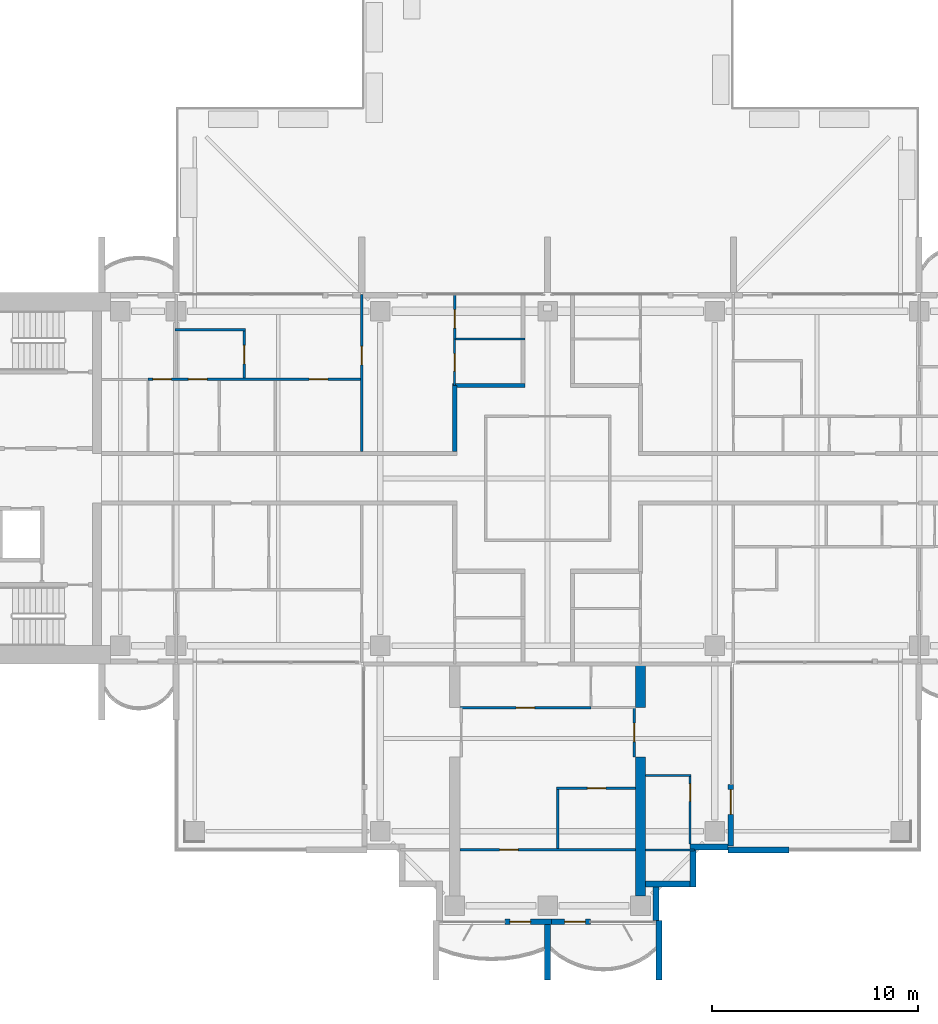
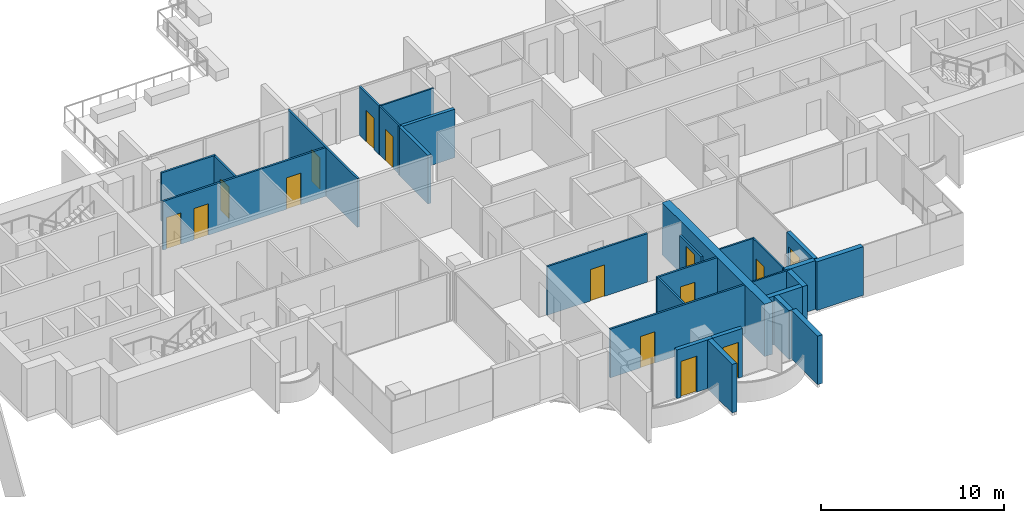
# One storey, part 10 of 18: 28 walls, 15 doors, 15 openings.
"""IFC4 building model written with IfcOpenShell, lengths in metres."""

import ifcopenshell
import ifcopenshell.guid

model = None  # the IFC model being written
_history = None  # IfcOwnerHistory: only IFC2X3 demands one
_inside = {}  # id of a spatial element -> (the spatial element, [elements in it])
_under = {}  # id of a project, library or spatial element -> (it, [spatial elements below it])
_declared = {}  # id of a project -> (the project, [libraries it declares])
_typed = {}  # id of a type object -> (the type object, [elements of that type])
_made_of = {}  # id of a material, layer set ... -> (it, [elements and type objects made of it])


def new_model(schema):
    """Start an empty IFC model of exactly this schema.

    Asked for "IFC4X3", IfcOpenShell would pick the latest addendum, in which some entities
    have other attributes; the version numbers below select the first issue.
    IFC2X3 requires an IfcOwnerHistory on every rooted entity: one is made here for all.
    """
    global model, _history
    if schema == "IFC4X3":
        model = ifcopenshell.file(schema_version=(4, 3, 0, 0))
    else:
        model = ifcopenshell.file(schema=schema)
    _inside.clear()
    _under.clear()
    _declared.clear()
    _typed.clear()
    _made_of.clear()
    _history = None
    if model.schema == "IFC2X3":
        org = make("IfcOrganization", Name="unknown")
        user = make(
            "IfcPersonAndOrganization",
            ThePerson=make("IfcPerson", FamilyName="unknown"),
            TheOrganization=org,
        )
        app = make(
            "IfcApplication",
            ApplicationDeveloper=org,
            Version="unknown",
            ApplicationFullName="unknown",
            ApplicationIdentifier="unknown",
        )
        _history = make(
            "IfcOwnerHistory",
            OwningUser=user,
            OwningApplication=app,
            ChangeAction="ADDED",
            CreationDate=0,
        )
    return model


def make(cls, **values):
    """One entity of the class cls with the attributes given. An attribute that is None is left unset."""
    return model.create_entity(
        cls, **{name: value for name, value in values.items() if value is not None}
    )


def rooted(cls, **values):
    """An entity with a GlobalId (a new one), such as an element, a storey or a relation."""
    return make(cls, GlobalId=ifcopenshell.guid.new(), OwnerHistory=_history, **values)


def si_unit(unit_type, name, prefix=None):
    """IfcSIUnit, for example si_unit("LENGTHUNIT", "METRE", prefix="MILLI")."""
    return make("IfcSIUnit", UnitType=unit_type, Prefix=prefix, Name=name)


def assignment(units):
    """IfcUnitAssignment: the units of a project."""
    return None if units is None else make("IfcUnitAssignment", Units=units)


def point(xyz):
    """IfcCartesianPoint."""
    return None if xyz is None else make("IfcCartesianPoint", Coordinates=xyz)


def direction(xyz):
    """IfcDirection."""
    return None if xyz is None else make("IfcDirection", DirectionRatios=xyz)


def frame(location, z_axis=None, x_axis=None):
    """IfcAxis2Placement3D, a coordinate frame: its origin and axes. An axis left out is left unset."""
    return make(
        "IfcAxis2Placement3D",
        Location=point(location),
        Axis=direction(z_axis),
        RefDirection=direction(x_axis),
    )


def frame_2d(location, x_axis=None):
    """IfcAxis2Placement2D, a coordinate frame in the plane: its origin and x axis."""
    return make(
        "IfcAxis2Placement2D", Location=point(location), RefDirection=direction(x_axis)
    )


def origin():
    """The frame at (0, 0, 0) with its axes left unset."""
    return frame((0.0, 0.0, 0.0))


def place(relative_to, where):
    """IfcLocalPlacement: puts the frame where relative to a parent placement (None: the world)."""
    return make(
        "IfcLocalPlacement", PlacementRelTo=relative_to, RelativePlacement=where
    )


def context(
    kind, dimensions, precision=None, world=None, true_north=None, identifier=None
):
    """IfcGeometricRepresentationContext, for example the 3D "Model" context."""
    return make(
        "IfcGeometricRepresentationContext",
        ContextIdentifier=identifier,
        ContextType=kind,
        CoordinateSpaceDimension=dimensions,
        Precision=precision,
        WorldCoordinateSystem=world,
        TrueNorth=true_north,
    )


def subcontext(parent, identifier, kind, view, scale=None):
    """IfcGeometricRepresentationSubContext, for example "Body" below "Model"."""
    return make(
        "IfcGeometricRepresentationSubContext",
        ContextIdentifier=identifier,
        ContextType=kind,
        ParentContext=parent,
        TargetScale=scale,
        TargetView=view,
    )


def project(units=None, contexts=None):
    """IfcProject with its units and contexts."""
    return rooted(
        "IfcProject",
        Name="project",
        RepresentationContexts=contexts,
        UnitsInContext=assignment(units),
    )


def spatial(cls, under=None, at=None, **own):
    """A site, building, storey or space (cls), placed at a placement, below another one or the project."""
    s = rooted(cls, ObjectPlacement=at, **own)
    if under is not None:
        _under.setdefault(under.id(), (under, []))[1].append(s)
    return s


def polyline(points):
    """IfcPolyline through the points."""
    return make("IfcPolyline", Points=[point(p) for p in points])


def profile(cls, at=None, kind="AREA", **sizes):
    """A parametric profile (cls). Its sizes go by their IFC names, for example OverallWidth=200.0."""
    return make(cls, ProfileType=kind, Position=at, **sizes)


def rectangle(**sizes):
    """IfcRectangleProfileDef."""
    return profile("IfcRectangleProfileDef", **sizes)


def outline(outer, holes=None, kind="AREA"):
    """IfcArbitraryClosedProfileDef: a profile drawn as a closed curve; with holes, ...WithVoids."""
    if holes is None:
        return make("IfcArbitraryClosedProfileDef", ProfileType=kind, OuterCurve=outer)
    return make(
        "IfcArbitraryProfileDefWithVoids",
        ProfileType=kind,
        OuterCurve=outer,
        InnerCurves=holes,
    )


def extrude(swept, where, along, depth):
    """IfcExtrudedAreaSolid: the profile swept, set in the frame where, extruded along a direction by depth."""
    return make(
        "IfcExtrudedAreaSolid",
        SweptArea=swept,
        Position=where,
        ExtrudedDirection=direction(along),
        Depth=depth,
    )


def shape(context_of_items, identifier, shape_type, items):
    """IfcShapeRepresentation: the items that make up one representation, for example the "Body"."""
    return make(
        "IfcShapeRepresentation",
        ContextOfItems=context_of_items,
        RepresentationIdentifier=identifier,
        RepresentationType=shape_type,
        Items=items,
    )


def material(Name=None, Category=None):
    """IfcMaterial."""
    return make("IfcMaterial", Name=Name, Category=Category)


def layer(
    of_material, thickness, ventilated=None, Name=None, Category=None, Priority=None
):
    """IfcMaterialLayer: one layer of a wall or slab, of a material (None: an air gap)."""
    return make(
        "IfcMaterialLayer",
        Material=of_material,
        LayerThickness=thickness,
        IsVentilated=ventilated,
        Name=Name,
        Category=Category,
        Priority=Priority,
    )


def layer_set(layers, Name=None):
    """IfcMaterialLayerSet."""
    return make("IfcMaterialLayerSet", MaterialLayers=layers, LayerSetName=Name)


def material_profile(
    of_material, cross_section, Name=None, Category=None, Priority=None
):
    """IfcMaterialProfile: a cross section and its material."""
    return make(
        "IfcMaterialProfile",
        Name=Name,
        Material=of_material,
        Profile=cross_section,
        Priority=Priority,
        Category=Category,
    )


def profile_set(profiles, Name=None, composite=None):
    """IfcMaterialProfileSet."""
    return make(
        "IfcMaterialProfileSet",
        Name=Name,
        MaterialProfiles=profiles,
        CompositeProfile=composite,
    )


def made_of(thing, what):
    """Note that an element or type object is made of a material, layer set ...; save() writes the relation."""
    if what is not None:
        _made_of.setdefault(what.id(), (what, []))[1].append(thing)
    return thing


def type_object(cls, material=None, **own):
    """A type object (cls), such as IfcWallType, which elements share."""
    return made_of(rooted(cls, **own), material)


def element(
    cls,
    number,
    at=None,
    inside=None,
    cuts=None,
    type_object=None,
    material=None,
    context=None,
    identifier="Body",
    shape_type=None,
    held_by="IfcProductDefinitionShape",
    body=None,
    shapes=None,
    **own,
):
    """One element of the class cls, such as IfcWall. Its Tag is "e" and its number.

    at: its placement. inside: the storey or other place that contains it. cuts: it is an
    opening in that element (IfcRelVoidsElement). A single representation is given by context,
    identifier, shape_type and body (its items); several are given by shapes. held_by: the class
    of the entity that holds the representations. save() writes the other relations.
    """
    e = rooted(cls, Tag="e%d" % number, ObjectPlacement=at, **own)
    if body is not None:
        shapes = [shape(context, identifier, shape_type, body)]
    if shapes is not None:
        e.Representation = make(held_by, Representations=shapes)
    if inside is not None:
        _inside.setdefault(inside.id(), (inside, []))[1].append(e)
    if cuts is not None:
        rooted(
            "IfcRelVoidsElement", RelatingBuildingElement=cuts, RelatedOpeningElement=e
        )
    if type_object is not None:
        _typed.setdefault(type_object.id(), (type_object, []))[1].append(e)
    return made_of(e, material)


def fill(opening, filler):
    """IfcRelFillsElement: the door or window that sits in an opening."""
    return rooted(
        "IfcRelFillsElement",
        RelatingOpeningElement=opening,
        RelatedBuildingElement=filler,
    )


def aggregate(whole, parts):
    """IfcRelAggregates: a whole, such as a stair, and the parts it consists of."""
    return rooted("IfcRelAggregates", RelatingObject=whole, RelatedObjects=parts)


def save(model, path):
    """Write the relations noted so far, then the file.

    IfcRelAggregates (storeys below a building ...), IfcRelContainedInSpatialStructure (elements
    in a storey), IfcRelDefinesByType, IfcRelAssociatesMaterial and IfcRelDeclares: one each for
    every whole, place, type object, material and project.
    """
    for whole, parts in _under.values():
        aggregate(whole, parts)
    for where, things in _inside.values():
        rooted(
            "IfcRelContainedInSpatialStructure",
            RelatedElements=things,
            RelatingStructure=where,
        )
    for kind, things in _typed.values():
        rooted("IfcRelDefinesByType", RelatedObjects=things, RelatingType=kind)
    for what, things in _made_of.values():
        rooted("IfcRelAssociatesMaterial", RelatedObjects=things, RelatingMaterial=what)
    for by, libraries in _declared.values():
        rooted("IfcRelDeclares", RelatingContext=by, RelatedDefinitions=libraries)
    model.write(path)


model = new_model("IFC4")

# Units and contexts
model_context = context("Model", 3, precision=1e-05, world=origin(), true_north=direction((0.0, 1.0)))
body_context = subcontext(model_context, "Body", "Model", "MODEL_VIEW")
ifc_project = project(units=[si_unit("LENGTHUNIT", "METRE"), si_unit("AREAUNIT", "SQUARE_METRE"), si_unit("VOLUMEUNIT", "CUBIC_METRE"), si_unit("PLANEANGLEUNIT", "RADIAN"), si_unit("MASSUNIT", "GRAM", prefix="KILO")], contexts=[model_context])

# Site, building, storey
site_placement = place(None, origin())
site = spatial("IfcSite", under=ifc_project, at=site_placement, CompositionType="ELEMENT")
building_placement = place(site_placement, origin())
building = spatial("IfcBuilding", under=site, at=building_placement, Name="Perihelion Cross Residences", CompositionType="ELEMENT")
storey_placement = place(building_placement, frame((0.0, 0.0, 166.60009765625)))
storey = spatial("IfcBuildingStorey", under=building, at=storey_placement, Name="L40", CompositionType="ELEMENT", Elevation=166.60009765625)

# Walls
ifc_material_1 = material(Name="Plasterboard partition")
ifc_layer_1 = layer(ifc_material_1, 0.199951171875)
ifc_layer_set_1 = layer_set([ifc_layer_1], Name="Apartment separation wall 200")
wall_type_1 = type_object("IfcWallType", Name="Apartment separation wall 200", PredefinedType="PARTITIONING", material=ifc_layer_set_1)
wall_1_placement = place(storey_placement, frame((-4.5, 1.300048828125, 0.0), z_axis=(0.0, 0.0, 1.0), x_axis=(0.0, 1.0, 0.0)))
element("IfcWall", 1, at=wall_1_placement, inside=storey, type_object=wall_type_1, Name="Partition L40 W014", PredefinedType="PARTITIONING", context=body_context, shape_type="SweptSolid", body=[
    extrude(rectangle(XDim=3.199951171875, YDim=0.199951171875, at=frame_2d((1.60009765625, 0.0))), origin(), (0.0, 0.0, 1.0), 3.25),
])
wall_2_placement = place(storey_placement, frame((-4.60009765625, 4.5, 0.0), z_axis=(0.0, 0.0, 1.0), x_axis=(1.0, 0.0, 0.0)))
element("IfcWall", 2, at=wall_2_placement, inside=storey, type_object=wall_type_1, Name="Partition L40 W015", PredefinedType="PARTITIONING", context=body_context, shape_type="SweptSolid", body=[
    extrude(rectangle(XDim=3.5, YDim=0.199951171875, at=frame_2d((1.75, 0.0))), origin(), (0.0, 0.0, 1.0), 3.25),
])

# Wall, opening, door
ifc_material_2 = material(Name="Concrete C30/37, bronze-clad", Category="concrete")
ifc_layer_2 = layer(ifc_material_2, 0.25)
ifc_layer_set_2 = layer_set([ifc_layer_2], Name="Bronze-clad pier wall 250")
wall_type_2 = type_object("IfcWallType", Name="Bronze-clad pier wall 250", PredefinedType="SOLIDWALL", material=ifc_layer_set_2)
wall_3_placement = place(storey_placement, frame((-2.074951171875, -21.47509765625, 0.0), z_axis=(0.0, 0.0, 1.0), x_axis=(1.0, 0.0, 0.0)))
wall_3 = element("IfcWall", 3, at=wall_3_placement, inside=storey, type_object=wall_type_2, Name="Wall FW1 L40 south tip south bay 1 pier", PredefinedType="SOLIDWALL", context=body_context, shape_type="SweptSolid", body=[
    extrude(rectangle(XDim=2.27490234375, YDim=0.25, at=frame_2d((1.137451171875, 0.0))), origin(), (0.0, 0.0, 1.0), 3.25),
])
opening_1_placement = place(wall_3_placement, frame((0.25, 0.0, 0.0)))
opening_1 = element("IfcOpeningElement", 4, at=opening_1_placement, cuts=wall_3, Name="Opening L40.E10", PredefinedType="OPENING", context=body_context, shape_type="SweptSolid", body=[
    extrude(rectangle(XDim=1.0, YDim=2.39990234375, at=frame_2d((0.5, 1.199951171875))), frame((0.0, 0.135009765625, 0.0), z_axis=(0.0, -1.0, 0.0), x_axis=(1.0, 0.0, 0.0)), (0.0, 0.0, 1.0), 0.27001953125),
])
ifc_material_3 = material(Name="Bronze anodised aluminium, glazed", Category="aluminium")
door_type_1 = type_object("IfcDoorType", Name="Balcony door 1000 x 2400", OperationType="NOTDEFINED", PredefinedType="DOOR", material=ifc_material_3)
door_1_placement = place(opening_1_placement, origin())
door_1 = element("IfcDoor", 5, at=door_1_placement, inside=storey, type_object=door_type_1, Name="Door L40.E10 south tip south bay 1", OperationType="SINGLE_SWING_RIGHT", OverallHeight=2.39990234375, OverallWidth=1.0, PredefinedType="DOOR", context=body_context, shape_type="SweptSolid", body=[
    extrude(rectangle(XDim=1.0, YDim=2.39990234375, at=frame_2d((0.5, 1.199951171875))), frame((0.0, 0.02490234375, 0.0), z_axis=(0.0, -1.0, 0.0), x_axis=(1.0, 0.0, 0.0)), (0.0, 0.0, 1.0), 0.050048828125),
])
fill(opening_1, door_1)

wall_4_placement = place(storey_placement, frame((0.199951171875, -21.47509765625, 0.0), z_axis=(0.0, 0.0, 1.0), x_axis=(1.0, 0.0, 0.0)))
wall_4 = element("IfcWall", 6, at=wall_4_placement, inside=storey, type_object=wall_type_2, Name="Wall FW1 L40 south tip south bay 2 pier", PredefinedType="SOLIDWALL", context=body_context, shape_type="SweptSolid", body=[
    extrude(rectangle(XDim=1.875, YDim=0.25, at=frame_2d((0.9375, 0.0))), origin(), (0.0, 0.0, 1.0), 3.25),
])
opening_2_placement = place(wall_4_placement, frame((0.625, 0.0, 0.0)))
opening_2 = element("IfcOpeningElement", 7, at=opening_2_placement, cuts=wall_4, Name="Opening L40.E11", PredefinedType="OPENING", context=body_context, shape_type="SweptSolid", body=[
    extrude(rectangle(XDim=1.0, YDim=2.39990234375, at=frame_2d((0.5, 1.199951171875))), frame((0.0, 0.135009765625, 0.0), z_axis=(0.0, -1.0, 0.0), x_axis=(1.0, 0.0, 0.0)), (0.0, 0.0, 1.0), 0.27001953125),
])
door_2_placement = place(opening_2_placement, origin())
door_2 = element("IfcDoor", 8, at=door_2_placement, inside=storey, type_object=door_type_1, Name="Door L40.E11 south tip south bay 2", OperationType="SINGLE_SWING_LEFT", OverallHeight=2.39990234375, OverallWidth=1.0, PredefinedType="DOOR", context=body_context, shape_type="SweptSolid", body=[
    extrude(rectangle(XDim=1.0, YDim=2.39990234375, at=frame_2d((0.5, 1.199951171875))), frame((0.0, 0.02490234375, 0.0), z_axis=(0.0, -1.0, 0.0), x_axis=(1.0, 0.0, 0.0)), (0.0, 0.0, 1.0), 0.050048828125),
])
fill(opening_2, door_2)

wall_5_placement = place(storey_placement, frame((8.875, -17.800048828125, 0.0), z_axis=(0.0, 0.0, 1.0), x_axis=(0.0, 1.0, 0.0)))
wall_5 = element("IfcWall", 9, at=wall_5_placement, inside=storey, type_object=wall_type_2, Name="Wall FW1 L40 south side east bay 1 pier", PredefinedType="SOLIDWALL", context=body_context, shape_type="SweptSolid", body=[
    extrude(rectangle(XDim=2.97509765625, YDim=0.25, at=frame_2d((1.487548828125, 0.0))), origin(), (0.0, 0.0, 1.0), 3.25),
])
opening_3_placement = place(wall_5_placement, frame((1.52490234375, 0.0, 0.0)))
opening_3 = element("IfcOpeningElement", 10, at=opening_3_placement, cuts=wall_5, Name="Opening L40.E12", PredefinedType="OPENING", context=body_context, shape_type="SweptSolid", body=[
    extrude(rectangle(XDim=1.199951171875, YDim=2.39990234375, at=frame_2d((0.60009765625, 1.199951171875))), frame((0.0, 0.135009765625, 0.0), z_axis=(0.0, -1.0, 0.0), x_axis=(1.0, 0.0, 0.0)), (0.0, 0.0, 1.0), 0.27001953125),
])
ifc_material_4 = material(Name="Bronze anodised aluminium, glazed", Category="aluminium")
door_type_2 = type_object("IfcDoorType", Name="Balcony door 1200 x 2400", OperationType="NOTDEFINED", PredefinedType="DOOR", material=ifc_material_4)
door_3_placement = place(opening_3_placement, origin())
door_3 = element("IfcDoor", 11, at=door_3_placement, inside=storey, type_object=door_type_2, Name="Door L40.E12 south side east bay 1", OperationType="SINGLE_SWING_RIGHT", OverallHeight=2.39990234375, OverallWidth=1.199951171875, PredefinedType="DOOR", context=body_context, shape_type="SweptSolid", body=[
    extrude(rectangle(XDim=1.199951171875, YDim=2.39990234375, at=frame_2d((0.60009765625, 1.199951171875))), frame((0.0, 0.02490234375, 0.0), z_axis=(0.0, -1.0, 0.0), x_axis=(1.0, 0.0, 0.0)), (0.0, 0.0, 1.0), 0.050048828125),
])
fill(opening_3, door_3)

# Walls
ifc_material_5 = material(Name="Concrete C30/37, bronze-clad", Category="concrete")
ifc_layer_3 = layer(ifc_material_5, 0.300048828125)
ifc_layer_set_3 = layer_set([ifc_layer_3], Name="Bronze-clad serration wall 300")
wall_type_3 = type_object("IfcWallType", Name="Bronze-clad serration wall 300", PredefinedType="SOLIDWALL", material=ifc_layer_set_3)
wall_6_placement = place(storey_placement, frame((5.25, -21.419921875, 0.0), z_axis=(0.0, 0.0, 1.0), x_axis=(0.0, 1.0, 0.0)))
element("IfcWall", 12, at=wall_6_placement, inside=storey, type_object=wall_type_3, Name="Wall SR1 L40 south corner south-east 1", PredefinedType="SOLIDWALL", context=body_context, shape_type="SweptSolid", body=[
    extrude(rectangle(XDim=1.619873046875, YDim=0.300048828125, at=frame_2d((0.81005859375, 0.0))), origin(), (0.0, 0.0, 1.0), 3.25),
])
wall_7_placement = place(storey_placement, frame((4.75, -19.64990234375, 0.0), z_axis=(0.0, 0.0, 1.0), x_axis=(1.0, 0.0, 0.0)))
element("IfcWall", 13, at=wall_7_placement, inside=storey, type_object=wall_type_3, Name="Wall SR1 L40 south corner south-east 2", PredefinedType="SOLIDWALL", context=body_context, shape_type="SweptSolid", body=[
    extrude(rectangle(XDim=2.14990234375, YDim=0.300048828125, at=frame_2d((1.074951171875, 0.0))), origin(), (0.0, 0.0, 1.0), 3.25),
])
wall_8_placement = place(storey_placement, frame((7.050048828125, -19.800048828125, 0.0), z_axis=(0.0, 0.0, 1.0), x_axis=(0.0, 1.0, 0.0)))
element("IfcWall", 14, at=wall_8_placement, inside=storey, type_object=wall_type_3, Name="Wall SR1 L40 south corner south-east 3", PredefinedType="SOLIDWALL", context=body_context, shape_type="SweptSolid", body=[
    extrude(rectangle(XDim=1.800048828125, YDim=0.300048828125, at=frame_2d((0.89990234375, 0.0))), origin(), (0.0, 0.0, 1.0), 3.25),
])
wall_9_placement = place(storey_placement, frame((6.89990234375, -17.85009765625, 0.0), z_axis=(0.0, 0.0, 1.0), x_axis=(1.0, 0.0, 0.0)))
element("IfcWall", 15, at=wall_9_placement, inside=storey, type_object=wall_type_3, Name="Wall SR1 L40 south corner south-east 4", PredefinedType="SOLIDWALL", context=body_context, shape_type="SweptSolid", body=[
    extrude(rectangle(XDim=1.85009765625, YDim=0.300048828125, at=frame_2d((0.925048828125, 0.0))), origin(), (0.0, 0.0, 1.0), 3.25),
])

# Wall, opening, door
ifc_material_6 = material(Name="Plasterboard partition")
ifc_layer_4 = layer(ifc_material_6, 0.1201171875)
ifc_layer_set_4 = layer_set([ifc_layer_4], Name="Infill panel 120")
wall_type_4 = type_object("IfcWallType", Name="Infill panel 120", PredefinedType="PARTITIONING", material=ifc_layer_set_4)
wall_10_placement = place(storey_placement, frame((4.18994140625, -11.10009765625, 0.0), z_axis=(0.0, 0.0, 1.0), x_axis=(0.0, -1.0, 0.0)))
wall_10 = element("IfcWall", 16, at=wall_10_placement, inside=storey, type_object=wall_type_4, Name="Partition L40 WI01", PredefinedType="PARTITIONING", context=body_context, shape_type="SweptSolid", body=[
    extrude(rectangle(XDim=2.39990234375, YDim=0.1201171875, at=frame_2d((1.199951171875, 0.0))), origin(), (0.0, 0.0, 1.0), 2.39990234375),
])
opening_4_placement = place(wall_10_placement, frame((0.75, 0.0, 0.0)))
opening_4 = element("IfcOpeningElement", 17, at=opening_4_placement, cuts=wall_10, Name="Opening L40.A49", PredefinedType="OPENING", context=body_context, shape_type="SweptSolid", body=[
    extrude(rectangle(XDim=0.89990234375, YDim=2.10009765625, at=frame_2d((0.449951171875, 1.050048828125))), frame((0.0, 0.070068359375, 0.0), z_axis=(0.0, -1.0, 0.0), x_axis=(1.0, 0.0, 0.0)), (0.0, 0.0, 1.0), 0.14013671875),
])
ifc_material_7 = material(Name="Timber door leaf", Category="wood")
door_type_3 = type_object("IfcDoorType", Name="Interior room door 900 x 2100", OperationType="SINGLE_SWING_LEFT", PredefinedType="DOOR", material=ifc_material_7)
door_4_placement = place(opening_4_placement, origin())
door_4 = element("IfcDoor", 18, at=door_4_placement, inside=storey, type_object=door_type_3, Name="Door L40.A49", OperationType="SINGLE_SWING_RIGHT", OverallHeight=2.10009765625, OverallWidth=0.89990234375, PredefinedType="DOOR", context=body_context, shape_type="SweptSolid", body=[
    extrude(rectangle(XDim=0.89990234375, YDim=2.10009765625, at=frame_2d((0.449951171875, 1.050048828125))), frame((0.0, 0.02490234375, 0.0), z_axis=(0.0, -1.0, 0.0), x_axis=(1.0, 0.0, 0.0)), (0.0, 0.0, 1.0), 0.050048828125),
])
fill(opening_4, door_4)

# Wall, openings, doors
ifc_material_8 = material(Name="Plasterboard partition")
ifc_layer_5 = layer(ifc_material_8, 0.1201171875)
ifc_layer_set_5 = layer_set([ifc_layer_5], Name="Partition wall 120")
wall_type_5 = type_object("IfcWallType", Name="Partition wall 120", PredefinedType="PARTITIONING", material=ifc_layer_set_5)
wall_11_placement = place(storey_placement, frame((-19.35009765625, 4.800048828125, 0.0), z_axis=(0.0, 0.0, 1.0), x_axis=(1.0, 0.0, 0.0)))
wall_11 = element("IfcWall", 19, at=wall_11_placement, inside=storey, type_object=wall_type_5, Name="Partition L40 W052", PredefinedType="PARTITIONING", context=body_context, shape_type="SweptSolid", body=[
    extrude(rectangle(XDim=10.41015625, YDim=0.1201171875, at=frame_2d((5.205078125, 0.0))), origin(), (0.0, 0.0, 1.0), 3.25),
])
opening_5_placement = place(wall_11_placement, frame((1.949951171875, 0.0, 0.0)))
opening_5 = element("IfcOpeningElement", 20, at=opening_5_placement, cuts=wall_11, Name="Opening L40.A25", PredefinedType="OPENING", context=body_context, shape_type="SweptSolid", body=[
    extrude(rectangle(XDim=0.89990234375, YDim=2.10009765625, at=frame_2d((0.449951171875, 1.050048828125))), frame((0.0, 0.070068359375, 0.0), z_axis=(0.0, -1.0, 0.0), x_axis=(1.0, 0.0, 0.0)), (0.0, 0.0, 1.0), 0.14013671875),
])
opening_6_placement = place(wall_11_placement, frame((7.800048828125, 0.0, 0.0)))
opening_6 = element("IfcOpeningElement", 21, at=opening_6_placement, cuts=wall_11, Name="Opening L40.A26", PredefinedType="OPENING", context=body_context, shape_type="SweptSolid", body=[
    extrude(rectangle(XDim=0.89990234375, YDim=2.10009765625, at=frame_2d((0.449951171875, 1.050048828125))), frame((0.0, 0.070068359375, 0.0), z_axis=(0.0, -1.0, 0.0), x_axis=(1.0, 0.0, 0.0)), (0.0, 0.0, 1.0), 0.14013671875),
])
opening_7_placement = place(wall_11_placement, frame((0.22509765625, 0.0, 0.0)))
opening_7 = element("IfcOpeningElement", 22, at=opening_7_placement, cuts=wall_11, Name="Opening L40.A30", PredefinedType="OPENING", context=body_context, shape_type="SweptSolid", body=[
    extrude(rectangle(XDim=0.89990234375, YDim=2.10009765625, at=frame_2d((0.449951171875, 1.050048828125))), frame((0.0, 0.070068359375, 0.0), z_axis=(0.0, -1.0, 0.0), x_axis=(1.0, 0.0, 0.0)), (0.0, 0.0, 1.0), 0.14013671875),
])
door_5_placement = place(opening_5_placement, origin())
door_5 = element("IfcDoor", 23, at=door_5_placement, inside=storey, type_object=door_type_3, Name="Door L40.A25", OperationType="SINGLE_SWING_RIGHT", OverallHeight=2.10009765625, OverallWidth=0.89990234375, PredefinedType="DOOR", context=body_context, shape_type="SweptSolid", body=[
    extrude(rectangle(XDim=0.89990234375, YDim=2.10009765625, at=frame_2d((0.449951171875, 1.050048828125))), frame((0.0, 0.02490234375, 0.0), z_axis=(0.0, -1.0, 0.0), x_axis=(1.0, 0.0, 0.0)), (0.0, 0.0, 1.0), 0.050048828125),
])
fill(opening_5, door_5)
door_6_placement = place(opening_6_placement, origin())
door_6 = element("IfcDoor", 24, at=door_6_placement, inside=storey, type_object=door_type_3, Name="Door L40.A26", OperationType="SINGLE_SWING_LEFT", OverallHeight=2.10009765625, OverallWidth=0.89990234375, PredefinedType="DOOR", context=body_context, shape_type="SweptSolid", body=[
    extrude(rectangle(XDim=0.89990234375, YDim=2.10009765625, at=frame_2d((0.449951171875, 1.050048828125))), frame((0.0, 0.02490234375, 0.0), z_axis=(0.0, -1.0, 0.0), x_axis=(1.0, 0.0, 0.0)), (0.0, 0.0, 1.0), 0.050048828125),
])
fill(opening_6, door_6)
door_7_placement = place(opening_7_placement, origin())
door_7 = element("IfcDoor", 25, at=door_7_placement, inside=storey, type_object=door_type_3, Name="Door L40.A30", OperationType="SINGLE_SWING_LEFT", OverallHeight=2.10009765625, OverallWidth=0.89990234375, PredefinedType="DOOR", context=body_context, shape_type="SweptSolid", body=[
    extrude(rectangle(XDim=0.89990234375, YDim=2.10009765625, at=frame_2d((0.449951171875, 1.050048828125))), frame((0.0, 0.02490234375, 0.0), z_axis=(0.0, -1.0, 0.0), x_axis=(1.0, 0.0, 0.0)), (0.0, 0.0, 1.0), 0.050048828125),
])
fill(opening_7, door_7)

# Wall, opening, door
wall_12_placement = place(storey_placement, frame((-9.0, 8.919921875, 0.0), z_axis=(0.0, 0.0, 1.0), x_axis=(0.0, -1.0, 0.0)))
wall_12 = element("IfcWall", 26, at=wall_12_placement, inside=storey, type_object=wall_type_5, Name="Partition L40 W053", PredefinedType="PARTITIONING", context=body_context, shape_type="SweptSolid", body=[
    extrude(rectangle(XDim=7.619873046875, YDim=0.1201171875, at=frame_2d((3.81005859375, 0.0))), origin(), (0.0, 0.0, 1.0), 3.25),
])
opening_8_placement = place(wall_12_placement, frame((2.52001953125, 0.0, 0.0)))
opening_8 = element("IfcOpeningElement", 27, at=opening_8_placement, cuts=wall_12, Name="Opening L40.A24", PredefinedType="OPENING", context=body_context, shape_type="SweptSolid", body=[
    extrude(rectangle(XDim=0.89990234375, YDim=2.10009765625, at=frame_2d((0.449951171875, 1.050048828125))), frame((0.0, 0.070068359375, 0.0), z_axis=(0.0, -1.0, 0.0), x_axis=(1.0, 0.0, 0.0)), (0.0, 0.0, 1.0), 0.14013671875),
])
door_8_placement = place(opening_8_placement, origin())
door_8 = element("IfcDoor", 28, at=door_8_placement, inside=storey, type_object=door_type_3, Name="Door L40.A24", OperationType="SINGLE_SWING_RIGHT", OverallHeight=2.10009765625, OverallWidth=0.89990234375, PredefinedType="DOOR", context=body_context, shape_type="SweptSolid", body=[
    extrude(rectangle(XDim=0.89990234375, YDim=2.10009765625, at=frame_2d((0.449951171875, 1.050048828125))), frame((0.0, 0.02490234375, 0.0), z_axis=(0.0, -1.0, 0.0), x_axis=(1.0, 0.0, 0.0)), (0.0, 0.0, 1.0), 0.050048828125),
])
fill(opening_8, door_8)

wall_13_placement = place(storey_placement, frame((-14.699951171875, 4.860107421875, 0.0), z_axis=(0.0, 0.0, 1.0), x_axis=(0.0, 1.0, 0.0)))
wall_13 = element("IfcWall", 29, at=wall_13_placement, inside=storey, type_object=wall_type_5, Name="Partition L40 W057", PredefinedType="PARTITIONING", context=body_context, shape_type="SweptSolid", body=[
    extrude(rectangle(XDim=2.27978515625, YDim=0.1201171875, at=frame_2d((1.139892578125, 0.0))), origin(), (0.0, 0.0, 1.0), 3.25),
])
opening_9_placement = place(wall_13_placement, frame((0.68994140625, 0.0, 0.0)))
opening_9 = element("IfcOpeningElement", 30, at=opening_9_placement, cuts=wall_13, Name="Opening L40.A29", PredefinedType="OPENING", context=body_context, shape_type="SweptSolid", body=[
    extrude(rectangle(XDim=0.89990234375, YDim=2.10009765625, at=frame_2d((0.449951171875, 1.050048828125))), frame((0.0, 0.070068359375, 0.0), z_axis=(0.0, -1.0, 0.0), x_axis=(1.0, 0.0, 0.0)), (0.0, 0.0, 1.0), 0.14013671875),
])
door_9_placement = place(opening_9_placement, origin())
door_9 = element("IfcDoor", 31, at=door_9_placement, inside=storey, type_object=door_type_3, Name="Door L40.A29", OperationType="SINGLE_SWING_RIGHT", OverallHeight=2.10009765625, OverallWidth=0.89990234375, PredefinedType="DOOR", context=body_context, shape_type="SweptSolid", body=[
    extrude(rectangle(XDim=0.89990234375, YDim=2.10009765625, at=frame_2d((0.449951171875, 1.050048828125))), frame((0.0, 0.02490234375, 0.0), z_axis=(0.0, -1.0, 0.0), x_axis=(1.0, 0.0, 0.0)), (0.0, 0.0, 1.0), 0.050048828125),
])
fill(opening_9, door_9)

# Wall
wall_14_placement = place(storey_placement, frame((-14.639892578125, 7.199951171875, 0.0), z_axis=(0.0, 0.0, 1.0), x_axis=(-1.0, 0.0, 0.0)))
element("IfcWall", 32, at=wall_14_placement, inside=storey, type_object=wall_type_5, Name="Partition L40 W058", PredefinedType="PARTITIONING", context=body_context, shape_type="SweptSolid", body=[
    extrude(rectangle(XDim=3.420166015625, YDim=0.1201171875, at=frame_2d((1.7099609375, 0.0))), origin(), (0.0, 0.0, 1.0), 3.25),
])

# Wall, opening, door
wall_15_placement = place(storey_placement, frame((-4.5, 8.919921875, 0.0), z_axis=(0.0, 0.0, 1.0), x_axis=(0.0, -1.0, 0.0)))
wall_15 = element("IfcWall", 33, at=wall_15_placement, inside=storey, type_object=wall_type_5, Name="Partition L40 W061", PredefinedType="PARTITIONING", context=body_context, shape_type="SweptSolid", body=[
    extrude(rectangle(XDim=2.169921875, YDim=0.1201171875, at=frame_2d((1.0849609375, 0.0))), origin(), (0.0, 0.0, 1.0), 3.25),
])
opening_10_placement = place(wall_15_placement, frame((0.7451171875, 0.0, 0.0)))
opening_10 = element("IfcOpeningElement", 34, at=opening_10_placement, cuts=wall_15, Name="Opening L40.A27", PredefinedType="OPENING", context=body_context, shape_type="SweptSolid", body=[
    extrude(rectangle(XDim=0.89990234375, YDim=2.10009765625, at=frame_2d((0.449951171875, 1.050048828125))), frame((0.0, 0.070068359375, 0.0), z_axis=(0.0, -1.0, 0.0), x_axis=(1.0, 0.0, 0.0)), (0.0, 0.0, 1.0), 0.14013671875),
])
door_10_placement = place(opening_10_placement, origin())
door_10 = element("IfcDoor", 35, at=door_10_placement, inside=storey, type_object=door_type_3, Name="Door L40.A27", OperationType="SINGLE_SWING_LEFT", OverallHeight=2.10009765625, OverallWidth=0.89990234375, PredefinedType="DOOR", context=body_context, shape_type="SweptSolid", body=[
    extrude(rectangle(XDim=0.89990234375, YDim=2.10009765625, at=frame_2d((0.449951171875, 1.050048828125))), frame((0.0, 0.02490234375, 0.0), z_axis=(0.0, -1.0, 0.0), x_axis=(1.0, 0.0, 0.0)), (0.0, 0.0, 1.0), 0.050048828125),
])
fill(opening_10, door_10)

wall_16_placement = place(storey_placement, frame((2.10009765625, -11.10009765625, 0.0), z_axis=(0.0, 0.0, 1.0), x_axis=(-1.0, 0.0, 0.0)))
wall_16 = element("IfcWall", 36, at=wall_16_placement, inside=storey, type_object=wall_type_5, Name="Partition L40 W074", PredefinedType="PARTITIONING", context=body_context, shape_type="SweptSolid", body=[
    extrude(rectangle(XDim=6.35009765625, YDim=0.1201171875, at=frame_2d((3.175048828125, 0.0))), origin(), (0.0, 0.0, 1.0), 3.25),
])
opening_11_placement = place(wall_16_placement, frame((2.72509765625, 0.0, 0.0)))
opening_11 = element("IfcOpeningElement", 37, at=opening_11_placement, cuts=wall_16, Name="Opening L40.A41", PredefinedType="OPENING", context=body_context, shape_type="SweptSolid", body=[
    extrude(rectangle(XDim=0.89990234375, YDim=2.10009765625, at=frame_2d((0.449951171875, 1.050048828125))), frame((0.0, 0.070068359375, 0.0), z_axis=(0.0, -1.0, 0.0), x_axis=(1.0, 0.0, 0.0)), (0.0, 0.0, 1.0), 0.14013671875),
])
door_11_placement = place(opening_11_placement, origin())
door_11 = element("IfcDoor", 38, at=door_11_placement, inside=storey, type_object=door_type_3, Name="Door L40.A41", OperationType="SINGLE_SWING_LEFT", OverallHeight=2.10009765625, OverallWidth=0.89990234375, PredefinedType="DOOR", context=body_context, shape_type="SweptSolid", body=[
    extrude(rectangle(XDim=0.89990234375, YDim=2.10009765625, at=frame_2d((0.449951171875, 1.050048828125))), frame((0.0, 0.02490234375, 0.0), z_axis=(0.0, -1.0, 0.0), x_axis=(1.0, 0.0, 0.0)), (0.0, 0.0, 1.0), 0.050048828125),
])
fill(opening_11, door_11)

wall_17_placement = place(storey_placement, frame((4.25, -15.0, 0.0), z_axis=(0.0, 0.0, 1.0), x_axis=(-1.0, 0.0, 0.0)))
wall_17 = element("IfcWall", 39, at=wall_17_placement, inside=storey, type_object=wall_type_5, Name="Partition L40 W076", PredefinedType="PARTITIONING", context=body_context, shape_type="SweptSolid", body=[
    extrude(rectangle(XDim=3.81005859375, YDim=0.1201171875, at=frame_2d((1.905029296875, 0.0))), origin(), (0.0, 0.0, 1.0), 3.25),
])
opening_12_placement = place(wall_17_placement, frame((1.425048828125, 0.0, 0.0)))
opening_12 = element("IfcOpeningElement", 40, at=opening_12_placement, cuts=wall_17, Name="Opening L40.A42", PredefinedType="OPENING", context=body_context, shape_type="SweptSolid", body=[
    extrude(rectangle(XDim=0.89990234375, YDim=2.10009765625, at=frame_2d((0.449951171875, 1.050048828125))), frame((0.0, 0.070068359375, 0.0), z_axis=(0.0, -1.0, 0.0), x_axis=(1.0, 0.0, 0.0)), (0.0, 0.0, 1.0), 0.14013671875),
])
door_12_placement = place(opening_12_placement, origin())
door_12 = element("IfcDoor", 41, at=door_12_placement, inside=storey, type_object=door_type_3, Name="Door L40.A42", OperationType="SINGLE_SWING_LEFT", OverallHeight=2.10009765625, OverallWidth=0.89990234375, PredefinedType="DOOR", context=body_context, shape_type="SweptSolid", body=[
    extrude(rectangle(XDim=0.89990234375, YDim=2.10009765625, at=frame_2d((0.449951171875, 1.050048828125))), frame((0.0, 0.02490234375, 0.0), z_axis=(0.0, -1.0, 0.0), x_axis=(1.0, 0.0, 0.0)), (0.0, 0.0, 1.0), 0.050048828125),
])
fill(opening_12, door_12)

# Wall
wall_18_placement = place(storey_placement, frame((0.5, -15.06005859375, 0.0), z_axis=(0.0, 0.0, 1.0), x_axis=(0.0, -1.0, 0.0)))
element("IfcWall", 42, at=wall_18_placement, inside=storey, type_object=wall_type_5, Name="Partition L40 W077", PredefinedType="PARTITIONING", context=body_context, shape_type="SweptSolid", body=[
    extrude(rectangle(XDim=2.8798828125, YDim=0.1201171875, at=frame_2d((1.43994140625, 0.0))), origin(), (0.0, 0.0, 1.0), 3.25),
])

# Wall, opening, door
wall_19_placement = place(storey_placement, frame((4.25, -18.0, 0.0), z_axis=(0.0, 0.0, 1.0), x_axis=(-1.0, 0.0, 0.0)))
wall_19 = element("IfcWall", 43, at=wall_19_placement, inside=storey, type_object=wall_type_5, Name="Partition L40 W078", PredefinedType="PARTITIONING", context=body_context, shape_type="SweptSolid", body=[
    extrude(rectangle(XDim=8.5, YDim=0.1201171875, at=frame_2d((4.25, 0.0))), origin(), (0.0, 0.0, 1.0), 3.25),
])
opening_13_placement = place(wall_19_placement, frame((5.675048828125, 0.0, 0.0)))
opening_13 = element("IfcOpeningElement", 44, at=opening_13_placement, cuts=wall_19, Name="Opening L40.A43", PredefinedType="OPENING", context=body_context, shape_type="SweptSolid", body=[
    extrude(rectangle(XDim=0.89990234375, YDim=2.10009765625, at=frame_2d((0.449951171875, 1.050048828125))), frame((0.0, 0.070068359375, 0.0), z_axis=(0.0, -1.0, 0.0), x_axis=(1.0, 0.0, 0.0)), (0.0, 0.0, 1.0), 0.14013671875),
])
door_13_placement = place(opening_13_placement, origin())
door_13 = element("IfcDoor", 45, at=door_13_placement, inside=storey, type_object=door_type_3, Name="Door L40.A43", OperationType="SINGLE_SWING_RIGHT", OverallHeight=2.10009765625, OverallWidth=0.89990234375, PredefinedType="DOOR", context=body_context, shape_type="SweptSolid", body=[
    extrude(rectangle(XDim=0.89990234375, YDim=2.10009765625, at=frame_2d((0.449951171875, 1.050048828125))), frame((0.0, 0.02490234375, 0.0), z_axis=(0.0, -1.0, 0.0), x_axis=(1.0, 0.0, 0.0)), (0.0, 0.0, 1.0), 0.050048828125),
])
fill(opening_13, door_13)

# Walls
ifc_material_9 = material(Name="Precast concrete C50/60", Category="concrete")
ifc_layer_6 = layer(ifc_material_9, 0.300048828125)
ifc_layer_set_6 = layer_set([ifc_layer_6], Name="Precast concrete C50/60 blade wall 300")
wall_type_6 = type_object("IfcWallType", Name="Precast concrete C50/60 blade wall 300", PredefinedType="SOLIDWALL", material=ifc_layer_set_6)
wall_20_placement = place(storey_placement, frame((0.0, -21.60009765625, 0.0), z_axis=(0.0, 0.0, 1.0), x_axis=(0.0, -1.0, 0.0)))
element("IfcWall", 46, at=wall_20_placement, inside=storey, type_object=wall_type_6, Name="Wall BL1 L40 no. 8", PredefinedType="SOLIDWALL", context=body_context, shape_type="SweptSolid", body=[
    extrude(rectangle(XDim=2.699951171875, YDim=0.300048828125, at=frame_2d((1.35009765625, 0.0))), origin(), (0.0, 0.0, 1.0), 3.25),
])
wall_21_placement = place(storey_placement, frame((5.39990234375, -21.419921875, 0.0), z_axis=(0.0, 0.0, 1.0), x_axis=(0.0, -1.0, 0.0)))
element("IfcWall", 47, at=wall_21_placement, inside=storey, type_object=wall_type_6, Name="Wall BL1 L40 no. 14", PredefinedType="SOLIDWALL", context=body_context, shape_type="SweptSolid", body=[
    extrude(rectangle(XDim=2.880126953125, YDim=0.300048828125, at=frame_2d((1.43994140625, 0.0))), origin(), (0.0, 0.0, 1.0), 3.25),
])
wall_22_placement = place(storey_placement, frame((8.75, -18.0, 0.0), z_axis=(0.0, 0.0, 1.0), x_axis=(1.0, 0.0, 0.0)))
element("IfcWall", 48, at=wall_22_placement, inside=storey, type_object=wall_type_6, Name="Wall BL1 L40 no. 15", PredefinedType="SOLIDWALL", context=body_context, shape_type="SweptSolid", body=[
    extrude(rectangle(XDim=2.949951171875, YDim=0.300048828125, at=frame_2d((1.47509765625, 0.0))), origin(), (0.0, 0.0, 1.0), 3.25),
])
ifc_material_10 = material(Name="Concrete C60/75", Category="concrete")
ifc_material_profile = material_profile(ifc_material_10, outline(polyline([(0.0, 0.0), (6.72509765625, 0.0), (6.72509765625, 2.64990234375), (9.125, 2.64990234375), (9.125, 0.0), (11.22509765625, 0.0), (11.22509765625, 3.5), (0.0, 3.5), (0.0, 0.0)])), Name="Tip spine wall")
ifc_profile_set = profile_set([ifc_material_profile], Name="Concrete C60/75")
wall_type_7 = type_object("IfcWallType", Name="Tip spine wall 500 with 1 door openings 11225 long 3500 high concrete C60/75", PredefinedType="SHEAR", material=ifc_profile_set)
wall_23_placement = place(storey_placement, frame((4.25, -20.22509765625, -0.25), z_axis=(1.0, 0.0, 0.0), x_axis=(0.0, 1.0, 0.0)))
element("IfcWall", 49, at=wall_23_placement, inside=storey, type_object=wall_type_7, Name="Shear wall SW41 L40 south east", PredefinedType="SHEAR", context=body_context, shape_type="SweptSolid", body=[
    extrude(outline(polyline([(0.0, 0.0), (6.72509765625, 0.0), (6.72509765625, 2.64990234375), (9.125, 2.64990234375), (9.125, 0.0), (11.22509765625, 0.0), (11.22509765625, 3.5), (0.0, 3.5), (0.0, 0.0)])), origin(), (0.0, 0.0, 1.0), 0.5),
])

# Wall, opening, door
ifc_material_11 = material(Name="Plasterboard partition")
ifc_layer_7 = layer(ifc_material_11, 0.10009765625)
ifc_layer_set_7 = layer_set([ifc_layer_7], Name="Wet room wall 100")
wall_type_8 = type_object("IfcWallType", Name="Wet room wall 100", PredefinedType="PARTITIONING", material=ifc_layer_set_7)
wall_24_placement = place(storey_placement, frame((-4.5, 6.75, 0.0), z_axis=(0.0, 0.0, 1.0), x_axis=(0.0, -1.0, 0.0)))
wall_24 = element("IfcWall", 50, at=wall_24_placement, inside=storey, type_object=wall_type_8, Name="Partition L40 W060", PredefinedType="PARTITIONING", context=body_context, shape_type="SweptSolid", body=[
    extrude(rectangle(XDim=2.25, YDim=0.10009765625, at=frame_2d((1.125, 0.0))), origin(), (0.0, 0.0, 1.0), 3.25),
])
opening_14_placement = place(wall_24_placement, frame((0.699951171875, 0.0, 0.0)))
opening_14 = element("IfcOpeningElement", 51, at=opening_14_placement, cuts=wall_24, Name="Opening L40.A22", PredefinedType="OPENING", context=body_context, shape_type="SweptSolid", body=[
    extrude(rectangle(XDim=0.85009765625, YDim=2.10009765625, at=frame_2d((0.425048828125, 1.050048828125))), frame((0.0, 0.06005859375, 0.0), z_axis=(0.0, -1.0, 0.0), x_axis=(1.0, 0.0, 0.0)), (0.0, 0.0, 1.0), 0.1201171875),
])
ifc_material_12 = material(Name="Timber door leaf", Category="wood")
door_type_4 = type_object("IfcDoorType", Name="Interior bathroom door 850 x 2100", OperationType="SINGLE_SWING_LEFT", PredefinedType="DOOR", material=ifc_material_12)
door_14_placement = place(opening_14_placement, origin())
door_14 = element("IfcDoor", 52, at=door_14_placement, inside=storey, type_object=door_type_4, Name="Door L40.A22", OperationType="SINGLE_SWING_RIGHT", OverallHeight=2.10009765625, OverallWidth=0.85009765625, PredefinedType="DOOR", context=body_context, shape_type="SweptSolid", body=[
    extrude(rectangle(XDim=0.85009765625, YDim=2.10009765625, at=frame_2d((0.425048828125, 1.050048828125))), frame((0.0, 0.02490234375, 0.0), z_axis=(0.0, -1.0, 0.0), x_axis=(1.0, 0.0, 0.0)), (0.0, 0.0, 1.0), 0.050048828125),
])
fill(opening_14, door_14)

# Wall
wall_25_placement = place(storey_placement, frame((-4.56005859375, 6.75, 0.0), z_axis=(0.0, 0.0, 1.0), x_axis=(1.0, 0.0, 0.0)))
element("IfcWall", 53, at=wall_25_placement, inside=storey, type_object=wall_type_8, Name="Partition L40 W062", PredefinedType="PARTITIONING", context=body_context, shape_type="SweptSolid", body=[
    extrude(rectangle(XDim=3.4599609375, YDim=0.10009765625, at=frame_2d((1.72998046875, 0.0))), origin(), (0.0, 0.0, 1.0), 3.25),
])

# Wall, opening, door
wall_26_placement = place(storey_placement, frame((6.89990234375, -17.699951171875, 0.0), z_axis=(0.0, 0.0, 1.0), x_axis=(0.0, 1.0, 0.0)))
wall_26 = element("IfcWall", 54, at=wall_26_placement, inside=storey, type_object=wall_type_8, Name="Partition L40 W079", PredefinedType="PARTITIONING", context=body_context, shape_type="SweptSolid", body=[
    extrude(rectangle(XDim=3.25, YDim=0.10009765625, at=frame_2d((1.625, 0.0))), origin(), (0.0, 0.0, 1.0), 3.25),
])
opening_15_placement = place(wall_26_placement, frame((2.050048828125, 0.0, 0.0)))
opening_15 = element("IfcOpeningElement", 55, at=opening_15_placement, cuts=wall_26, Name="Opening L40.A44", PredefinedType="OPENING", context=body_context, shape_type="SweptSolid", body=[
    extrude(rectangle(XDim=0.85009765625, YDim=2.10009765625, at=frame_2d((0.425048828125, 1.050048828125))), frame((0.0, 0.06005859375, 0.0), z_axis=(0.0, -1.0, 0.0), x_axis=(1.0, 0.0, 0.0)), (0.0, 0.0, 1.0), 0.1201171875),
])
door_15_placement = place(opening_15_placement, origin())
door_15 = element("IfcDoor", 56, at=door_15_placement, inside=storey, type_object=door_type_4, Name="Door L40.A44", OperationType="SINGLE_SWING_LEFT", OverallHeight=2.10009765625, OverallWidth=0.85009765625, PredefinedType="DOOR", context=body_context, shape_type="SweptSolid", body=[
    extrude(rectangle(XDim=0.85009765625, YDim=2.10009765625, at=frame_2d((0.425048828125, 1.050048828125))), frame((0.0, 0.02490234375, 0.0), z_axis=(0.0, -1.0, 0.0), x_axis=(1.0, 0.0, 0.0)), (0.0, 0.0, 1.0), 0.050048828125),
])
fill(opening_15, door_15)

# Walls
wall_27_placement = place(storey_placement, frame((6.949951171875, -14.39990234375, 0.0), z_axis=(0.0, 0.0, 1.0), x_axis=(-1.0, 0.0, 0.0)))
element("IfcWall", 57, at=wall_27_placement, inside=storey, type_object=wall_type_8, Name="Partition L40 W080", PredefinedType="PARTITIONING", context=body_context, shape_type="SweptSolid", body=[
    extrude(rectangle(XDim=2.199951171875, YDim=0.10009765625, at=frame_2d((1.10009765625, 0.0))), origin(), (0.0, 0.0, 1.0), 3.25),
])
wall_28_placement = place(storey_placement, frame((7.1201171875, -18.0, 0.0), z_axis=(0.0, 0.0, 1.0), x_axis=(-1.0, 0.0, 0.0)))
element("IfcWall", 58, at=wall_28_placement, inside=storey, type_object=wall_type_8, Name="Partition L40 W081", PredefinedType="PARTITIONING", context=body_context, shape_type="SweptSolid", body=[
    extrude(rectangle(XDim=2.3701171875, YDim=0.10009765625, at=frame_2d((1.18505859375, 0.0))), origin(), (0.0, 0.0, 1.0), 3.25),
])

save(model, "model.ifc")
